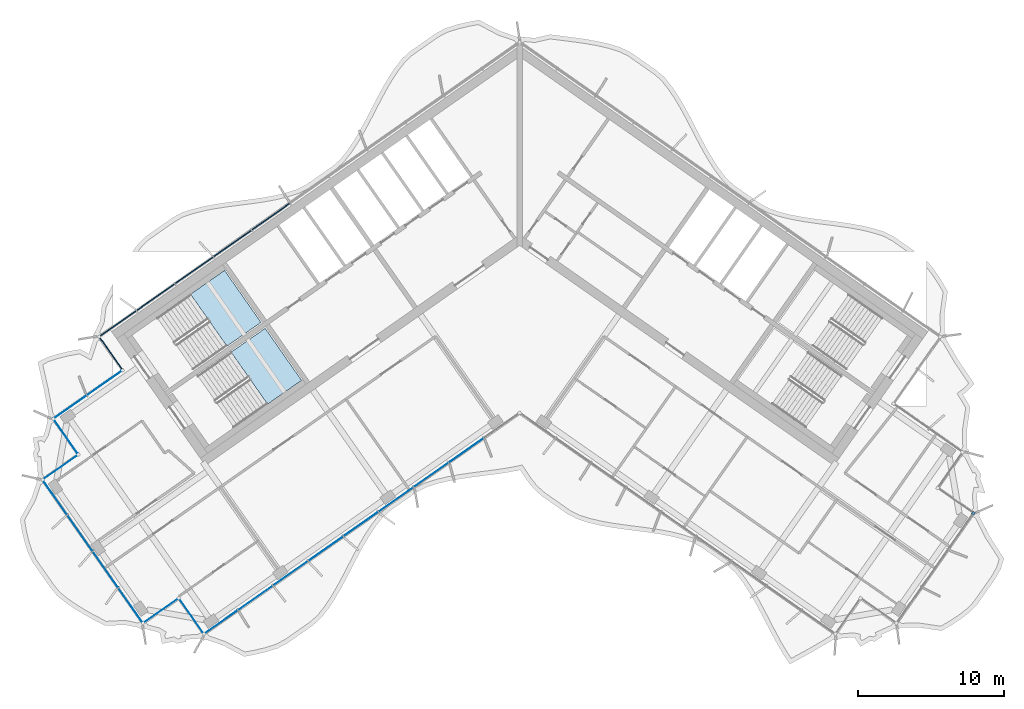
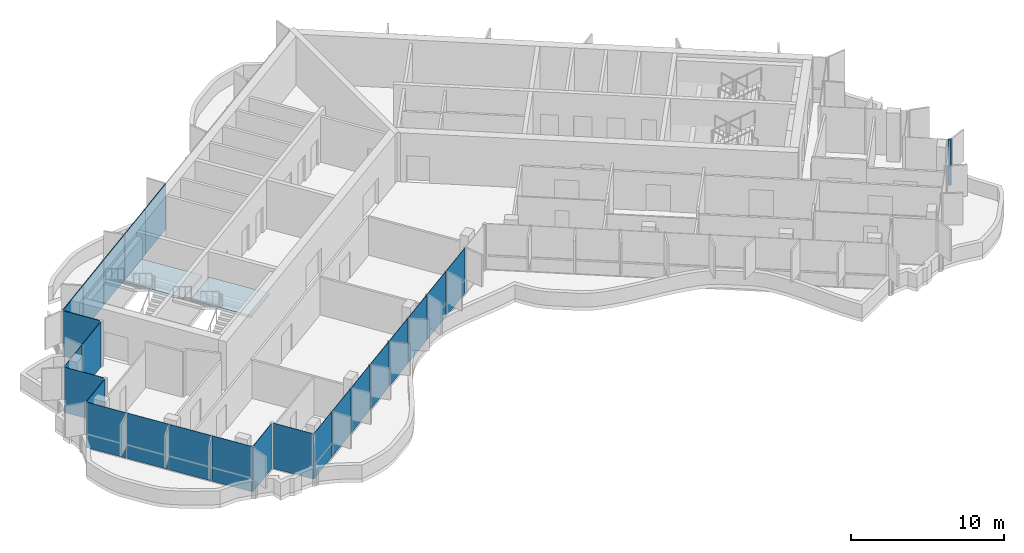
# One storey, part 7 of 18: 24 plates, 2 slabs, 1 member, 4 elements without a shape of their own.
"""IFC4 building model written with IfcOpenShell, lengths in metres."""

from ifc_helpers import new_model, si_unit, direction, frame, origin, origin_2d, place, context, subcontext, project, spatial, polyline, rectangle, outline, extrude, material, layer, layer_set, material_profile, profile_set, type_object, element, aggregate, save


model = new_model("IFC4")

# Units and contexts
model_context = context("Model", 3, precision=1e-05, world=origin(), true_north=direction((0.0, 1.0)))
body_context = subcontext(model_context, "Body", "Model", "MODEL_VIEW")
ifc_project = project(units=[si_unit("LENGTHUNIT", "METRE"), si_unit("AREAUNIT", "SQUARE_METRE"), si_unit("VOLUMEUNIT", "CUBIC_METRE"), si_unit("PLANEANGLEUNIT", "RADIAN"), si_unit("MASSUNIT", "GRAM", prefix="KILO")], contexts=[model_context])

# Site, building, storey
site_placement = place(None, origin())
site = spatial("IfcSite", under=ifc_project, at=site_placement, CompositionType="ELEMENT")
building_placement = place(site_placement, origin())
building = spatial("IfcBuilding", under=site, at=building_placement, Name="Tel Ilan Convention Tower", CompositionType="ELEMENT")
storey_placement = place(building_placement, frame((0.0, 0.0, 252.699951171875)))
storey = spatial("IfcBuildingStorey", under=building, at=storey_placement, Name="L59", CompositionType="ELEMENT", Elevation=252.699951171875)

# Curtain wall, member
ifc_material_1 = material(Name="Aluminium, bronze anodised", Category="aluminium")
curtain_wall_type_1 = type_object("IfcCurtainWallType", Name="CW5 STICK CURTAIN WALL, UPPER OFFICE LOW-IRON TINTED GLASS", PredefinedType="NOTDEFINED", material=ifc_material_1)
curtain_wall_1_placement = place(storey_placement, origin())
curtain_wall_1 = element("IfcCurtainWall", 1, at=curtain_wall_1_placement, inside=storey, type_object=curtain_wall_type_1, Name="Curtain wall CW5-46.02", PredefinedType="NOTDEFINED")
ifc_material_2 = material(Name="Aluminium, bronze anodised", Category="aluminium")
ifc_material_profile = material_profile(ifc_material_2, rectangle(XDim=0.199951171875, YDim=0.199951171875, at=origin_2d()), Name="CW CORNER MULLION 200x200")
ifc_profile_set = profile_set([ifc_material_profile], Name="Aluminium, bronze anodised")
member_type = type_object("IfcMemberType", Name="CW CORNER MULLION 200x200", PredefinedType="MULLION", material=ifc_profile_set)
member_placement = place(storey_placement, frame((31.09521484375, -19.57568359375, 0.0), z_axis=(0.0, 0.0, 1.0), x_axis=(0.573576436351, 0.819152044289, 0.0)))
member = element("IfcMember", 2, at=member_placement, type_object=member_type, Name="Corner mullion", PredefinedType="MULLION", context=body_context, shape_type="SweptSolid", body=[
    extrude(rectangle(XDim=0.199951171875, YDim=0.199951171875, at=origin_2d()), origin(), (0.0, 0.0, 1.0), 3.6201171875),
])

# Curtain wall, plates
ifc_material_3 = material(Name="Aluminium, bronze anodised", Category="aluminium")
curtain_wall_type_2 = type_object("IfcCurtainWallType", Name="CW2 STICK CURTAIN WALL, SPANDREL PANELS", PredefinedType="NOTDEFINED", material=ifc_material_3)
curtain_wall_2_placement = place(storey_placement, origin())
curtain_wall_2 = element("IfcCurtainWall", 3, at=curtain_wall_2_placement, inside=storey, type_object=curtain_wall_type_2, Name="Curtain wall CW2-46.01", PredefinedType="NOTDEFINED")
ifc_material_4 = material(Name="Aluminium composite panel, bronze anodised", Category="aluminium")
ifc_layer_1 = layer(ifc_material_4, 0.06005859375)
ifc_layer_set_1 = layer_set([ifc_layer_1], Name="CW SPANDREL PANEL 60")
plate_type_1 = type_object("IfcPlateType", Name="CW SPANDREL PANEL 60", PredefinedType="CURTAIN_PANEL", material=ifc_layer_set_1)
plate_1_placement = place(storey_placement, frame((-17.0546875, 0.754150390625, 0.0), z_axis=(0.0, 0.0, 1.0), x_axis=(-0.819152044289, -0.573576436351, 0.0)))
plate_1 = element("IfcPlate", 4, at=plate_1_placement, type_object=plate_type_1, Name="Spandrel panel", PredefinedType="CURTAIN_PANEL", context=body_context, shape_type="SweptSolid", body=[
    extrude(rectangle(XDim=3.15380859375, YDim=0.06005859375, at=origin_2d()), origin(), (0.0, 0.0, 1.0), 3.6201171875),
])
plate_2_placement = place(storey_placement, frame((-19.687255859375, -1.089111328125, 0.0), z_axis=(0.0, 0.0, 1.0), x_axis=(-0.819152044289, -0.573576436351, 0.0)))
plate_2 = element("IfcPlate", 5, at=plate_2_placement, type_object=plate_type_1, Name="Spandrel panel", PredefinedType="CURTAIN_PANEL", context=body_context, shape_type="SweptSolid", body=[
    extrude(rectangle(XDim=3.15380859375, YDim=0.06005859375, at=origin_2d()), origin(), (0.0, 0.0, 1.0), 3.6201171875),
])
plate_3_placement = place(storey_placement, frame((-22.31982421875, -2.9326171875, 0.0), z_axis=(0.0, 0.0, 1.0), x_axis=(-0.819152044289, -0.573576436351, 0.0)))
plate_3 = element("IfcPlate", 6, at=plate_3_placement, type_object=plate_type_1, Name="Spandrel panel", PredefinedType="CURTAIN_PANEL", context=body_context, shape_type="SweptSolid", body=[
    extrude(rectangle(XDim=3.15380859375, YDim=0.06005859375, at=origin_2d()), origin(), (0.0, 0.0, 1.0), 3.6201171875),
])
plate_4_placement = place(storey_placement, frame((-24.95263671875, -4.77587890625, 0.0), z_axis=(0.0, 0.0, 1.0), x_axis=(-0.819152044289, -0.573576436351, 0.0)))
plate_4 = element("IfcPlate", 7, at=plate_4_placement, type_object=plate_type_1, Name="Spandrel panel", PredefinedType="CURTAIN_PANEL", context=body_context, shape_type="SweptSolid", body=[
    extrude(rectangle(XDim=3.15380859375, YDim=0.06005859375, at=origin_2d()), origin(), (0.0, 0.0, 1.0), 3.6201171875),
])
plate_5_placement = place(storey_placement, frame((-27.5400390625, -6.587646484375, 0.0), z_axis=(0.0, 0.0, 1.0), x_axis=(-0.819152044289, -0.573576436351, 0.0)))
plate_5 = element("IfcPlate", 8, at=plate_5_placement, type_object=plate_type_1, Name="Spandrel panel", PredefinedType="CURTAIN_PANEL", context=body_context, shape_type="SweptSolid", body=[
    extrude(rectangle(XDim=3.0439453125, YDim=0.06005859375, at=origin_2d()), origin(), (0.0, 0.0, 1.0), 3.6201171875),
])
plate_6_placement = place(storey_placement, frame((-28.033935546875, -8.60546875, 0.0), z_axis=(0.0, 0.0, 1.0), x_axis=(0.573576436351, -0.819152044289, 0.0)))
plate_6 = element("IfcPlate", 9, at=plate_6_placement, type_object=plate_type_1, Name="Spandrel panel", PredefinedType="CURTAIN_PANEL", context=body_context, shape_type="SweptSolid", body=[
    extrude(rectangle(XDim=2.658935546875, YDim=0.06005859375, at=origin_2d()), origin(), (0.0, 0.0, 1.0), 3.6201171875),
])
aggregate(curtain_wall_2, [plate_1, plate_2, plate_3, plate_4, plate_5, plate_6])

# Plate
ifc_material_5 = material(Name="Glass, low-iron bronze tinted, two-ply", Category="glass")
ifc_layer_2 = layer(ifc_material_5, 0.031982421875)
ifc_layer_set_2 = layer_set([ifc_layer_2], Name="CW UPPER GLASS PANEL 32")
plate_type_2 = type_object("IfcPlateType", Name="CW UPPER GLASS PANEL 32", PredefinedType="CURTAIN_PANEL", material=ifc_layer_set_2)
plate_7_placement = place(storey_placement, frame((-28.471435546875, -10.657958984375, 0.0), z_axis=(0.0, 0.0, 1.0), x_axis=(-0.819152044289, -0.573576436351, 0.0)))
plate_7 = element("IfcPlate", 10, at=plate_7_placement, type_object=plate_type_2, Name="Glass panel", PredefinedType="CURTAIN_PANEL", context=body_context, shape_type="SweptSolid", body=[
    extrude(rectangle(XDim=2.868896484375, YDim=0.028076171875, at=origin_2d()), origin(), (0.0, 0.0, 1.0), 3.6201171875),
])

plate_8_placement = place(storey_placement, frame((-30.8203125, -12.302734375, 0.0), z_axis=(0.0, 0.0, 1.0), x_axis=(-0.819152044289, -0.573576436351, 0.0)))
plate_8 = element("IfcPlate", 11, at=plate_8_placement, type_object=plate_type_2, Name="Glass panel", PredefinedType="CURTAIN_PANEL", context=body_context, shape_type="SweptSolid", body=[
    extrude(rectangle(XDim=2.74609375, YDim=0.028076171875, at=origin_2d()), origin(), (0.0, 0.0, 1.0), 3.6201171875),
])

plate_9_placement = place(storey_placement, frame((-31.126220703125, -14.30126953125, 0.0), z_axis=(0.0, 0.0, 1.0), x_axis=(0.573576436351, -0.819152044289, 0.0)))
plate_9 = element("IfcPlate", 12, at=plate_9_placement, type_object=plate_type_2, Name="Glass panel", PredefinedType="CURTAIN_PANEL", context=body_context, shape_type="SweptSolid", body=[
    extrude(rectangle(XDim=2.875, YDim=0.028076171875, at=origin_2d()), origin(), (0.0, 0.0, 1.0), 3.6201171875),
])

plate_10_placement = place(storey_placement, frame((-31.504150390625, -16.44384765625, 0.0), z_axis=(0.0, 0.0, 1.0), x_axis=(-0.819152044289, -0.573576436351, 0.0)))
plate_10 = element("IfcPlate", 13, at=plate_10_placement, type_object=plate_type_2, Name="Glass panel", PredefinedType="CURTAIN_PANEL", context=body_context, shape_type="SweptSolid", body=[
    extrude(rectangle(XDim=2.875, YDim=0.028076171875, at=origin_2d()), origin(), (0.0, 0.0, 1.0), 3.6201171875),
])

plate_11_placement = place(storey_placement, frame((-31.85693359375, -18.488037109375, 0.0), z_axis=(0.0, 0.0, 1.0), x_axis=(0.573576436351, -0.819152044289, 0.0)))
plate_11 = element("IfcPlate", 14, at=plate_11_placement, type_object=plate_type_2, Name="Glass panel", PredefinedType="CURTAIN_PANEL", context=body_context, shape_type="SweptSolid", body=[
    extrude(rectangle(XDim=2.89599609375, YDim=0.028076171875, at=origin_2d()), origin(), (0.0, 0.0, 1.0), 3.6201171875),
])

plate_12_placement = place(storey_placement, frame((-30.134521484375, -20.94775390625, 0.0), z_axis=(0.0, 0.0, 1.0), x_axis=(0.573576436351, -0.819152044289, 0.0)))
plate_12 = element("IfcPlate", 15, at=plate_12_placement, type_object=plate_type_2, Name="Glass panel", PredefinedType="CURTAIN_PANEL", context=body_context, shape_type="SweptSolid", body=[
    extrude(rectangle(XDim=2.989990234375, YDim=0.028076171875, at=origin_2d()), origin(), (0.0, 0.0, 1.0), 3.6201171875),
])

plate_13_placement = place(storey_placement, frame((-28.38525390625, -23.4462890625, 0.0), z_axis=(0.0, 0.0, 1.0), x_axis=(0.573576436351, -0.819152044289, 0.0)))
plate_13 = element("IfcPlate", 16, at=plate_13_placement, type_object=plate_type_2, Name="Glass panel", PredefinedType="CURTAIN_PANEL", context=body_context, shape_type="SweptSolid", body=[
    extrude(rectangle(XDim=2.989990234375, YDim=0.028076171875, at=origin_2d()), origin(), (0.0, 0.0, 1.0), 3.6201171875),
])

plate_14_placement = place(storey_placement, frame((-26.66259765625, -25.90625, 0.0), z_axis=(0.0, 0.0, 1.0), x_axis=(0.573576436351, -0.819152044289, 0.0)))
plate_14 = element("IfcPlate", 17, at=plate_14_placement, type_object=plate_type_2, Name="Glass panel", PredefinedType="CURTAIN_PANEL", context=body_context, shape_type="SweptSolid", body=[
    extrude(rectangle(XDim=2.89599609375, YDim=0.028076171875, at=origin_2d()), origin(), (0.0, 0.0, 1.0), 3.6201171875),
])

plate_15_placement = place(storey_placement, frame((-24.621337890625, -26.273681640625, 0.0), z_axis=(0.0, 0.0, 1.0), x_axis=(0.819152044289, 0.573576436351, 0.0)))
plate_15 = element("IfcPlate", 18, at=plate_15_placement, type_object=plate_type_2, Name="Glass panel", PredefinedType="CURTAIN_PANEL", context=body_context, shape_type="SweptSolid", body=[
    extrude(rectangle(XDim=2.875, YDim=0.028076171875, at=origin_2d()), origin(), (0.0, 0.0, 1.0), 3.6201171875),
])

plate_16_placement = place(storey_placement, frame((-22.478515625, -26.651611328125, 0.0), z_axis=(0.0, 0.0, 1.0), x_axis=(0.573576436351, -0.819152044289, 0.0)))
plate_16 = element("IfcPlate", 19, at=plate_16_placement, type_object=plate_type_2, Name="Glass panel", PredefinedType="CURTAIN_PANEL", context=body_context, shape_type="SweptSolid", body=[
    extrude(rectangle(XDim=2.875, YDim=0.028076171875, at=origin_2d()), origin(), (0.0, 0.0, 1.0), 3.6201171875),
])

plate_17_placement = place(storey_placement, frame((-20.47998046875, -27.036376953125, 0.0), z_axis=(0.0, 0.0, 1.0), x_axis=(0.819152044289, 0.573576436351, 0.0)))
plate_17 = element("IfcPlate", 20, at=plate_17_placement, type_object=plate_type_2, Name="Glass panel", PredefinedType="CURTAIN_PANEL", context=body_context, shape_type="SweptSolid", body=[
    extrude(rectangle(XDim=2.78466796875, YDim=0.028076171875, at=origin_2d()), origin(), (0.0, 0.0, 1.0), 3.6201171875),
])

plate_18_placement = place(storey_placement, frame((-18.111328125, -25.377685546875, 0.0), z_axis=(0.0, 0.0, 1.0), x_axis=(0.819152044289, 0.573576436351, 0.0)))
plate_18 = element("IfcPlate", 21, at=plate_18_placement, type_object=plate_type_2, Name="Glass panel", PredefinedType="CURTAIN_PANEL", context=body_context, shape_type="SweptSolid", body=[
    extrude(rectangle(XDim=2.878662109375, YDim=0.028076171875, at=origin_2d()), origin(), (0.0, 0.0, 1.0), 3.6201171875),
])

plate_19_placement = place(storey_placement, frame((-15.7041015625, -23.692138671875, 0.0), z_axis=(0.0, 0.0, 1.0), x_axis=(0.819152044289, 0.573576436351, 0.0)))
plate_19 = element("IfcPlate", 22, at=plate_19_placement, type_object=plate_type_2, Name="Glass panel", PredefinedType="CURTAIN_PANEL", context=body_context, shape_type="SweptSolid", body=[
    extrude(rectangle(XDim=2.878662109375, YDim=0.028076171875, at=origin_2d()), origin(), (0.0, 0.0, 1.0), 3.6201171875),
])

plate_20_placement = place(storey_placement, frame((-13.296875, -22.006591796875, 0.0), z_axis=(0.0, 0.0, 1.0), x_axis=(0.819152044289, 0.573576436351, 0.0)))
plate_20 = element("IfcPlate", 23, at=plate_20_placement, type_object=plate_type_2, Name="Glass panel", PredefinedType="CURTAIN_PANEL", context=body_context, shape_type="SweptSolid", body=[
    extrude(rectangle(XDim=2.878662109375, YDim=0.028076171875, at=origin_2d()), origin(), (0.0, 0.0, 1.0), 3.6201171875),
])

plate_21_placement = place(storey_placement, frame((-10.8896484375, -20.321044921875, 0.0), z_axis=(0.0, 0.0, 1.0), x_axis=(0.819152044289, 0.573576436351, 0.0)))
plate_21 = element("IfcPlate", 24, at=plate_21_placement, type_object=plate_type_2, Name="Glass panel", PredefinedType="CURTAIN_PANEL", context=body_context, shape_type="SweptSolid", body=[
    extrude(rectangle(XDim=2.878662109375, YDim=0.028076171875, at=origin_2d()), origin(), (0.0, 0.0, 1.0), 3.6201171875),
])

plate_22_placement = place(storey_placement, frame((-8.482666015625, -18.635498046875, 0.0), z_axis=(0.0, 0.0, 1.0), x_axis=(0.819152044289, 0.573576436351, 0.0)))
plate_22 = element("IfcPlate", 25, at=plate_22_placement, type_object=plate_type_2, Name="Glass panel", PredefinedType="CURTAIN_PANEL", context=body_context, shape_type="SweptSolid", body=[
    extrude(rectangle(XDim=2.878662109375, YDim=0.028076171875, at=origin_2d()), origin(), (0.0, 0.0, 1.0), 3.6201171875),
])

plate_23_placement = place(storey_placement, frame((-6.075439453125, -16.949951171875, 0.0), z_axis=(0.0, 0.0, 1.0), x_axis=(0.819152044289, 0.573576436351, 0.0)))
plate_23 = element("IfcPlate", 26, at=plate_23_placement, type_object=plate_type_2, Name="Glass panel", PredefinedType="CURTAIN_PANEL", context=body_context, shape_type="SweptSolid", body=[
    extrude(rectangle(XDim=2.878662109375, YDim=0.028076171875, at=origin_2d()), origin(), (0.0, 0.0, 1.0), 3.6201171875),
])

plate_24_placement = place(storey_placement, frame((-3.668212890625, -15.264404296875, 0.0), z_axis=(0.0, 0.0, 1.0), x_axis=(0.819152044289, 0.573576436351, 0.0)))
plate_24 = element("IfcPlate", 27, at=plate_24_placement, type_object=plate_type_2, Name="Glass panel", PredefinedType="CURTAIN_PANEL", context=body_context, shape_type="SweptSolid", body=[
    extrude(rectangle(XDim=2.878662109375, YDim=0.028076171875, at=origin_2d()), origin(), (0.0, 0.0, 1.0), 3.6201171875),
])

aggregate(curtain_wall_1, [plate_7, plate_8, plate_9, plate_10, plate_11, plate_12, plate_13, plate_14, plate_15, plate_16, plate_17, plate_18, plate_19, plate_20, plate_21, plate_22, plate_23, plate_24, member])

# Stair, slab
ifc_material_6 = material(Name="Concrete C40/50", Category="concrete")
stair_type = type_object("IfcStairType", Name="Pressurised Exit Stair 22 risers 177 mm", PredefinedType="HALF_TURN_STAIR", material=ifc_material_6)
stair_1_placement = place(storey_placement, origin())
stair_1 = element("IfcStair", 28, at=stair_1_placement, inside=storey, type_object=stair_type, Name="L59 Pressurised Stair S1", PredefinedType="HALF_TURN_STAIR")
ifc_material_7 = material(Name="Concrete C40/50", Category="concrete")
ifc_layer_3 = layer(ifc_material_7, 0.199951171875)
ifc_layer_set_3 = layer_set([ifc_layer_3], Name="Concrete Stair Landing 200 mm C40/50")
slab_type = type_object("IfcSlabType", Name="Concrete Stair Landing 200 mm", PredefinedType="LANDING", material=ifc_layer_set_3)
slab_1_placement = place(storey_placement, frame((0.0, 0.0, 1.75)))
slab_1 = element("IfcSlab", 29, at=slab_1_placement, type_object=slab_type, Name="S1 landing 1", PredefinedType="LANDING", context=body_context, shape_type="SweptSolid", body=[
    extrude(outline(polyline([(-20.066650390625, -8.130126953125), (-17.7314453125, -6.494873046875), (-20.226318359375, -2.931640625), (-22.561767578125, -4.566650390625), (-20.066650390625, -8.130126953125)])), origin(), (0.0, 0.0, 1.0), 0.199951171875),
])
aggregate(stair_1, [slab_1])

stair_2_placement = place(storey_placement, origin())
stair_2 = element("IfcStair", 30, at=stair_2_placement, inside=storey, type_object=stair_type, Name="L59 Pressurised Stair S2", PredefinedType="HALF_TURN_STAIR")
slab_2_placement = place(storey_placement, frame((0.0, 0.0, 1.75)))
slab_2 = element("IfcSlab", 31, at=slab_2_placement, type_object=slab_type, Name="S2 landing 1", PredefinedType="LANDING", context=body_context, shape_type="SweptSolid", body=[
    extrude(outline(polyline([(-17.28466796875, -12.10302734375), (-14.949462890625, -10.4677734375), (-17.444580078125, -6.904541015625), (-19.77978515625, -8.53955078125), (-17.28466796875, -12.10302734375)])), origin(), (0.0, 0.0, 1.0), 0.199951171875),
])
aggregate(stair_2, [slab_2])

save(model, "model.ifc")
